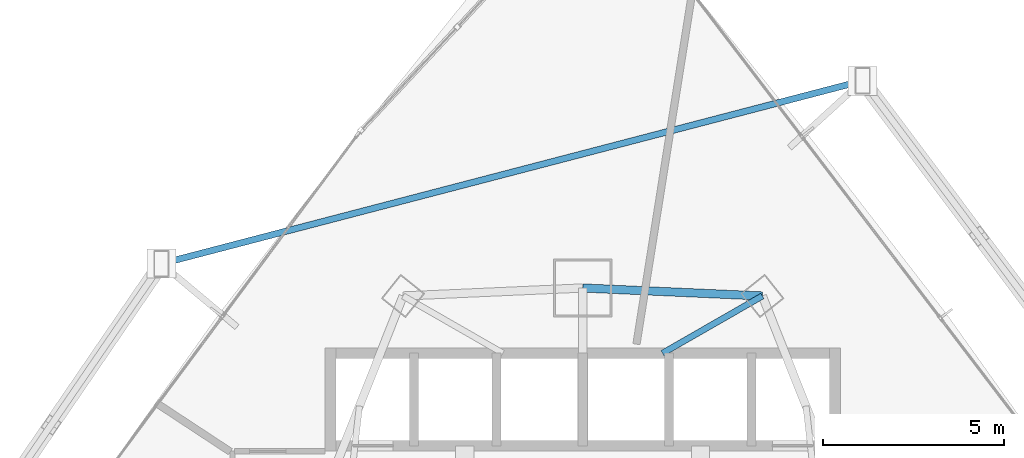
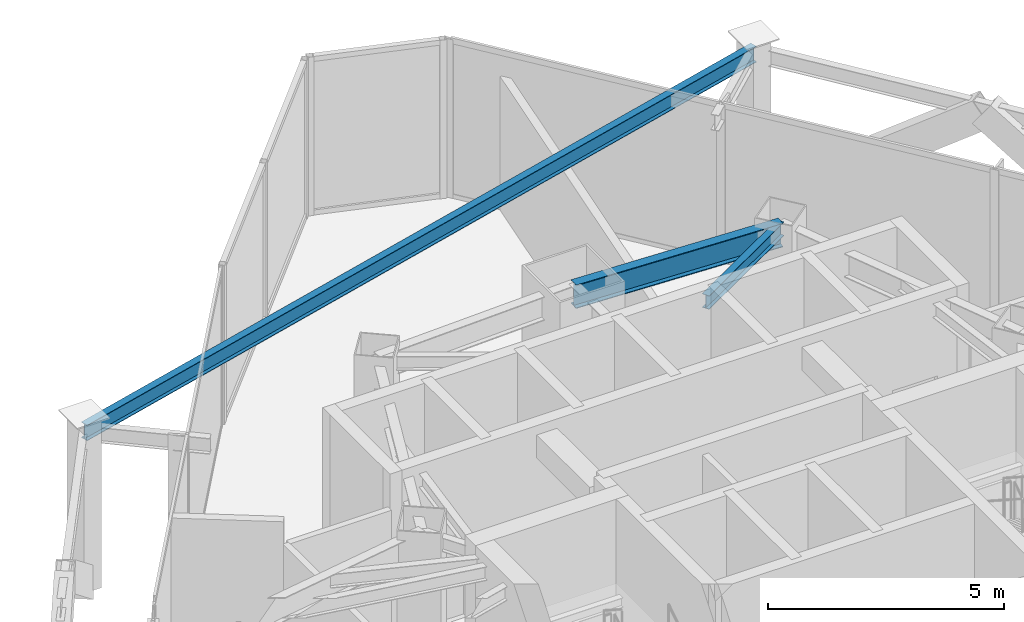
# One storey, part 22 of 33: 3 beams.
"""IFC4 building model written with IfcOpenShell, lengths in metres."""

from ifc_helpers import new_model, si_unit, direction, frame, origin, origin_2d, place, context, subcontext, project, spatial, i_section, extrude, material, material_profile, profile_set, type_object, element, save


model = new_model("IFC4")

# Units and contexts
model_context = context("Model", 3, precision=1e-05, world=origin(), true_north=direction((0.0, 1.0)))
body_context = subcontext(model_context, "Body", "Model", "MODEL_VIEW")
ifc_project = project(units=[si_unit("LENGTHUNIT", "METRE"), si_unit("AREAUNIT", "SQUARE_METRE"), si_unit("VOLUMEUNIT", "CUBIC_METRE"), si_unit("PLANEANGLEUNIT", "RADIAN"), si_unit("MASSUNIT", "GRAM", prefix="KILO")], contexts=[model_context])

# Site, building, storey
site_placement = place(None, origin())
site = spatial("IfcSite", under=ifc_project, at=site_placement, CompositionType="ELEMENT")
building_placement = place(site_placement, origin())
building = spatial("IfcBuilding", under=site, at=building_placement, Name="Orvanel Arch Residences", CompositionType="ELEMENT")
storey_placement = place(building_placement, frame((0.0, 0.0, 59.89990234375)))
storey = spatial("IfcBuildingStorey", under=building, at=storey_placement, Name="L16", CompositionType="ELEMENT", Elevation=59.89990234375)

# Beams
ifc_material = material(Name="Structural steel AS/NZS 3679.1 Grade 300 (300 MPa)", Category="steel")
ifc_material_profile_1 = material_profile(ifc_material, i_section(OverallWidth=0.1708984375, OverallDepth=0.35595703125, WebThickness=0.00732421875, FlangeThickness=0.011474609375, at=origin_2d()), Name="360UB50.7")
ifc_profile_set_1 = profile_set([ifc_material_profile_1], Name="Structural steel AS/NZS 3679.1 Grade 300 (300 MPa)")
beam_type_1 = type_object("IfcBeamType", Name="BJ-360UB", PredefinedType="JOIST", material=ifc_profile_set_1)
beam_1_placement = place(storey_placement, frame((35.199951171875, 39.60009765625, 3.93212890625), z_axis=(0.86736513383, 0.497672306458, 0.0), x_axis=(-0.497672306458, 0.86736513383, 0.0)))
element("IfcBeam", 1, at=beam_1_placement, inside=storey, type_object=beam_type_1, Name="L16 MNE Wing Floor Joist", PredefinedType="JOIST", context=body_context, shape_type="SweptSolid", body=[
    extrude(i_section(OverallWidth=0.1708984375, OverallDepth=0.35595703125, WebThickness=0.00732421875, FlangeThickness=0.011474609375, at=origin_2d()), origin(), (0.0, 0.0, 1.0), 3.17041015625),
])
ifc_material_profile_2 = material_profile(ifc_material, i_section(OverallWidth=0.177978515625, OverallDepth=0.406005859375, WebThickness=0.0078125, FlangeThickness=0.0126953125, at=origin_2d()), Name="410UB59.7")
ifc_profile_set_2 = profile_set([ifc_material_profile_2], Name="Structural steel AS/NZS 3679.1 Grade 300 (300 MPa)")
beam_type_2 = type_object("IfcBeamType", Name="OB-410UB-EXT", PredefinedType="SPANDREL", material=ifc_profile_set_2)
beam_2_placement = place(storey_placement, frame((40.7119140625, 47.10693359375, 3.906982421875), z_axis=(-0.96761934987, -0.252413933366, 0.0), x_axis=(0.252413933366, -0.96761934987, 0.0)))
element("IfcBeam", 2, at=beam_2_placement, inside=storey, type_object=beam_type_2, Name="L16 Outer Perimeter Floor Ring Beam 12", PredefinedType="SPANDREL", context=body_context, shape_type="SweptSolid", body=[
    extrude(i_section(OverallWidth=0.177978515625, OverallDepth=0.406005859375, WebThickness=0.0078125, FlangeThickness=0.0126953125, at=origin_2d()), origin(), (0.0, 0.0, 1.0), 19.96728515625),
])
ifc_material_profile_3 = material_profile(ifc_material, i_section(OverallWidth=0.22900390625, OverallDepth=0.612060546875, WebThickness=0.011962890625, FlangeThickness=0.01953125, at=origin_2d()), Name="610UB125")
ifc_profile_set_3 = profile_set([ifc_material_profile_3], Name="Structural steel AS/NZS 3679.1 Grade 300 (300 MPa)")
beam_type_3 = type_object("IfcBeamType", Name="SP-610UB", PredefinedType="SPANDREL", material=ifc_profile_set_3)
beam_3_placement = place(storey_placement, frame((37.949951171875, 41.177978515625, 3.80419921875), z_axis=(-0.999014049296, 0.044395149614, 0.0), x_axis=(-0.044395149614, -0.999014049296, 0.0)))
element("IfcBeam", 3, at=beam_3_placement, inside=storey, type_object=beam_type_3, Name="L16 Perimeter Spandrel Beam 16", PredefinedType="SPANDREL", context=body_context, shape_type="SweptSolid", body=[
    extrude(i_section(OverallWidth=0.22900390625, OverallDepth=0.612060546875, WebThickness=0.011962890625, FlangeThickness=0.01953125, at=origin_2d()), origin(), (0.0, 0.0, 1.0), 4.954833984375),
])

save(model, "model.ifc")
